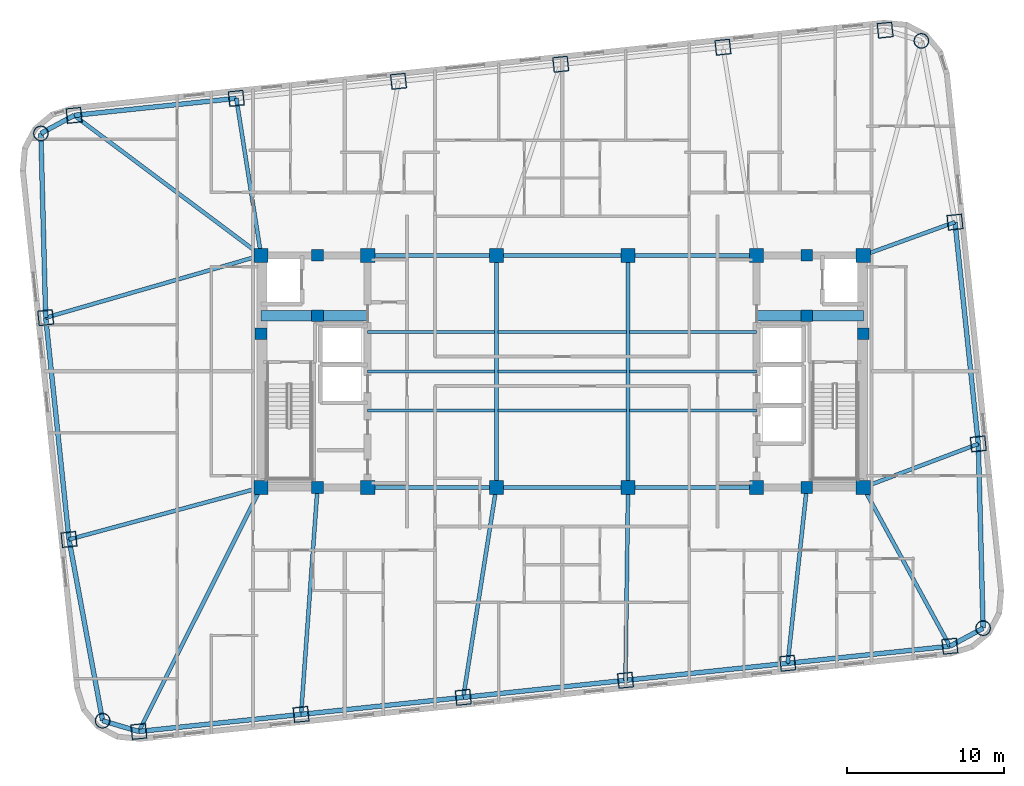
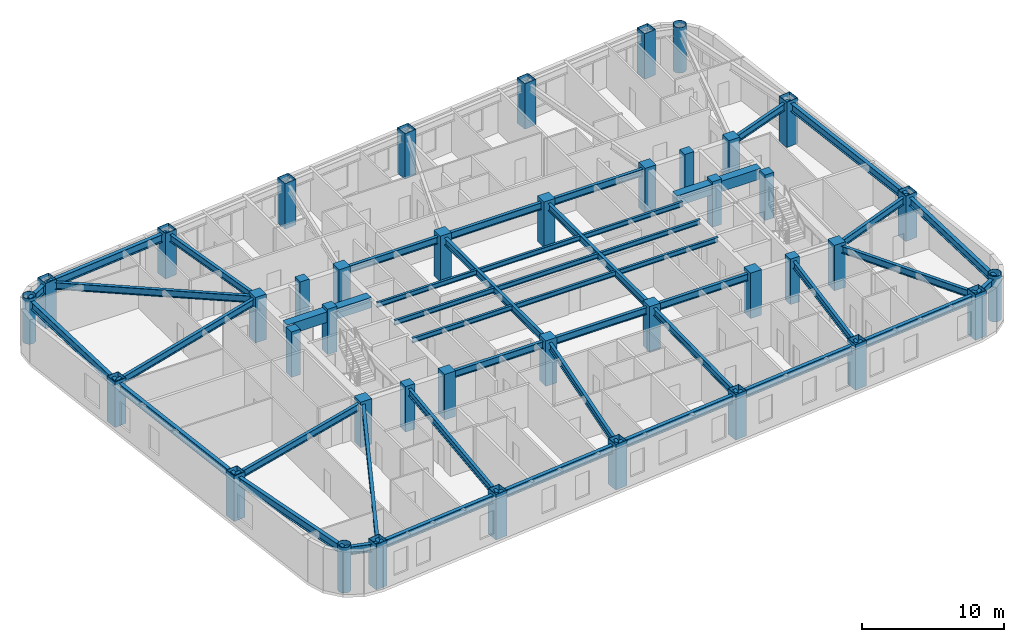
# One storey, part 1 of 12: 45 beams, 40 columns.
"""IFC4 building model written with IfcOpenShell, lengths in metres."""

from ifc_helpers import new_model, si_unit, direction, frame, origin, origin_2d, place, context, subcontext, project, spatial, rectangle, hollow_rectangle, hollow_circle, i_section, extrude, material, material_profile, profile_set, type_object, element, save


model = new_model("IFC4")

# Units and contexts
model_context = context("Model", 3, precision=1e-05, world=origin(), true_north=direction((0.0, 1.0)))
body_context = subcontext(model_context, "Body", "Model", "MODEL_VIEW")
ifc_project = project(units=[si_unit("LENGTHUNIT", "METRE"), si_unit("AREAUNIT", "SQUARE_METRE"), si_unit("VOLUMEUNIT", "CUBIC_METRE"), si_unit("PLANEANGLEUNIT", "RADIAN"), si_unit("MASSUNIT", "GRAM", prefix="KILO")], contexts=[model_context])

# Site, building, storey
site_placement = place(None, origin())
site = spatial("IfcSite", under=ifc_project, at=site_placement, CompositionType="ELEMENT")
building_placement = place(site_placement, origin())
building = spatial("IfcBuilding", under=site, at=building_placement, Name="Voryun Gate Residences", CompositionType="ELEMENT")
storey_placement = place(building_placement, frame((0.0, 0.0, 152.10009765625)))
storey = spatial("IfcBuildingStorey", under=building, at=storey_placement, Name="L37", CompositionType="ELEMENT", Elevation=152.10009765625)

# Columns
ifc_material_1 = material(Name="Concrete C50/60", Category="concrete")
ifc_material_profile_1 = material_profile(ifc_material_1, rectangle(XDim=0.75, YDim=0.75, at=origin_2d()), Name="RC-750x750")
ifc_profile_set_1 = profile_set([ifc_material_profile_1], Name="Concrete C50/60")
column_type_1 = type_object("IfcColumnType", Name="COL_CORE_750", PredefinedType="COLUMN", material=ifc_profile_set_1)
for number, where, z_axis, x_axis, name in (
    (1, (-19.199951171875, 2.39990234375, 0.0), (0.0, 0.0, 1.0), (1.0, 0.0, 0.0), "L37 Core boundary column WC-MW"),
    (2, (-15.60009765625, -7.39990234375, 0.0), (0.0, 0.0, 1.0), (1.0, 0.0, 0.0), "L37 Core boundary column WC-SM"),
    (3, (-15.60009765625, 7.39990234375, 0.0), (0.0, 0.0, 1.0), (1.0, 0.0, 0.0), "L37 Core boundary column WC-NM"),
    (4, (-15.60009765625, 3.550048828125, 0.0), (0.0, 0.0, 1.0), (1.0, 0.0, 0.0), "L37 Core boundary column WC-MM"),
    (5, (15.60009765625, 3.550048828125, 0.0), (0.0, 0.0, 1.0), (1.0, 0.0, 0.0), "L37 Core boundary column EC-MM"),
    (6, (15.60009765625, -7.39990234375, 0.0), (0.0, 0.0, 1.0), (1.0, 0.0, 0.0), "L37 Core boundary column EC-SM"),
    (7, (15.60009765625, 7.39990234375, 0.0), (0.0, 0.0, 1.0), (1.0, 0.0, 0.0), "L37 Core boundary column EC-NM"),
    (8, (19.199951171875, 2.39990234375, 0.0), (0.0, 0.0, 1.0), (1.0, 0.0, 0.0), "L37 Core boundary column EC-ME"),
):
    element("IfcColumn", number, at=place(storey_placement, frame(where, z_axis=z_axis, x_axis=x_axis)), inside=storey, type_object=column_type_1, Name=name, PredefinedType="COLUMN", context=body_context, shape_type="SweptSolid", body=[
        extrude(rectangle(XDim=0.75, YDim=0.75, at=origin_2d()), origin(), (0.0, 0.0, 1.0), 3.89990234375),
    ])
ifc_material_2 = material(Name="Concrete C50/60", Category="concrete")
ifc_material_profile_2 = material_profile(ifc_material_2, rectangle(XDim=0.89990234375, YDim=0.89990234375, at=origin_2d()), Name="RC-900x900")
ifc_profile_set_2 = profile_set([ifc_material_profile_2], Name="Concrete C50/60")
column_type_2 = type_object("IfcColumnType", Name="COL_CORE_900", PredefinedType="COLUMN", material=ifc_profile_set_2)
for number, where, z_axis, x_axis, name in (
    (9, (-19.199951171875, -7.39990234375, 0.0), (0.0, 0.0, 1.0), (1.0, 0.0, 0.0), "L37 Core boundary column WC-SW"),
    (10, (-19.199951171875, 7.39990234375, 0.0), (0.0, 0.0, 1.0), (1.0, 0.0, 0.0), "L37 Core boundary column WC-NW"),
    (11, (-12.39990234375, -7.39990234375, 0.0), (0.0, 0.0, 1.0), (1.0, 0.0, 0.0), "L37 Core boundary column WC-SE"),
    (12, (-12.39990234375, 7.39990234375, 0.0), (0.0, 0.0, 1.0), (1.0, 0.0, 0.0), "L37 Core boundary column WC-NE"),
    (13, (12.39990234375, -7.39990234375, 0.0), (0.0, 0.0, 1.0), (1.0, 0.0, 0.0), "L37 Core boundary column EC-SW"),
    (14, (12.39990234375, 7.39990234375, 0.0), (0.0, 0.0, 1.0), (1.0, 0.0, 0.0), "L37 Core boundary column EC-NW"),
    (15, (19.199951171875, -7.39990234375, 0.0), (0.0, 0.0, 1.0), (1.0, 0.0, 0.0), "L37 Core boundary column EC-SE"),
    (16, (19.199951171875, 7.39990234375, 0.0), (0.0, 0.0, 1.0), (1.0, 0.0, 0.0), "L37 Core boundary column EC-NE"),
    (17, (-4.199951171875, -7.39990234375, 0.0), (0.0, 0.0, 1.0), (1.0, 0.0, 0.0), "L37 Interior spine column SP-WS"),
    (18, (-4.199951171875, 7.39990234375, 0.0), (0.0, 0.0, 1.0), (1.0, 0.0, 0.0), "L37 Interior spine column SP-WN"),
    (19, (4.199951171875, -7.39990234375, 0.0), (0.0, 0.0, 1.0), (1.0, 0.0, 0.0), "L37 Interior spine column SP-ES"),
    (20, (4.199951171875, 7.39990234375, 0.0), (0.0, 0.0, 1.0), (1.0, 0.0, 0.0), "L37 Interior spine column SP-EN"),
):
    element("IfcColumn", number, at=place(storey_placement, frame(where, z_axis=z_axis, x_axis=x_axis)), inside=storey, type_object=column_type_2, Name=name, PredefinedType="COLUMN", context=body_context, shape_type="SweptSolid", body=[
        extrude(rectangle(XDim=0.89990234375, YDim=0.89990234375, at=origin_2d()), origin(), (0.0, 0.0, 1.0), 3.89990234375),
    ])
ifc_material_3 = material(Name="Steel SM420", Category="steel")
ifc_material_profile_3 = material_profile(ifc_material_3, hollow_circle(Radius=0.47509765625, WallThickness=0.031982421875, at=origin_2d()), Name="CHS-950x32")
ifc_profile_set_3 = profile_set([ifc_material_profile_3], Name="Steel SM420")
column_type_3 = type_object("IfcColumnType", Name="COL_CRN_950", PredefinedType="COLUMN", material=ifc_profile_set_3)
for number, where, z_axis, x_axis, name in (
    (21, (26.8408203125, -16.373779296875, 0.0), (0.0, 0.0, 1.0), (0.994521895368, 0.104528463268, 0.0), "L37 Exoskeleton column CSE"),
    (22, (22.90478515625, 21.07470703125, 0.0), (0.0, 0.0, 1.0), (0.994521895368, 0.104528463268, 0.0), "L37 Exoskeleton column CNE"),
    (23, (-33.24072265625, 15.173583984375, 0.0), (0.0, 0.0, 1.0), (0.994521895368, 0.104528463268, 0.0), "L37 Exoskeleton column CNW"),
    (24, (-29.3046875, -22.27490234375, 0.0), (0.0, 0.0, 1.0), (0.994521895368, 0.104528463268, 0.0), "L37 Exoskeleton column CSW"),
):
    element("IfcColumn", number, at=place(storey_placement, frame(where, z_axis=z_axis, x_axis=x_axis)), inside=storey, type_object=column_type_3, Name=name, PredefinedType="COLUMN", context=body_context, shape_type="SweptSolid", body=[
        extrude(hollow_circle(Radius=0.47509765625, WallThickness=0.031982421875, at=origin_2d()), origin(), (0.0, 0.0, 1.0), 3.89990234375),
    ])
ifc_material_4 = material(Name="Steel SM420", Category="steel")
ifc_material_profile_4 = material_profile(ifc_material_4, hollow_rectangle(XDim=0.949951171875, YDim=0.949951171875, WallThickness=0.031982421875, at=origin_2d()), Name="BOX-950x950x32")
ifc_profile_set_4 = profile_set([ifc_material_profile_4], Name="Steel SM420")
column_type_4 = type_object("IfcColumnType", Name="COL_EXO_B3", PredefinedType="COLUMN", material=ifc_profile_set_4)
for number, where, z_axis, x_axis, name in (
    (25, (-26.9931640625, -22.95947265625, 0.0), (0.0, 0.0, 1.0), (0.994521895368, 0.104528463268, 0.0), "L37 Exoskeleton column S1"),
    (26, (-16.650146484375, -21.87255859375, 0.0), (0.0, 0.0, 1.0), (0.994521895368, 0.104528463268, 0.0), "L37 Exoskeleton column S2"),
    (27, (-6.30712890625, -20.785400390625, 0.0), (0.0, 0.0, 1.0), (0.994521895368, 0.104528463268, 0.0), "L37 Exoskeleton column S3"),
    (28, (4.035888671875, -19.6982421875, 0.0), (0.0, 0.0, 1.0), (0.994521895368, 0.104528463268, 0.0), "L37 Exoskeleton column S4"),
    (29, (14.37890625, -18.611083984375, 0.0), (0.0, 0.0, 1.0), (0.994521895368, 0.104528463268, 0.0), "L37 Exoskeleton column S5"),
    (30, (24.721923828125, -17.524169921875, 0.0), (0.0, 0.0, 1.0), (0.994521895368, 0.104528463268, 0.0), "L37 Exoskeleton column S6"),
    (31, (26.533447265625, -4.6240234375, 0.0), (0.0, 0.0, 1.0), (0.994521895368, 0.104528463268, 0.0), "L37 Exoskeleton column E1"),
    (32, (25.047119140625, 9.51806640625, 0.0), (0.0, 0.0, 1.0), (0.994521895368, 0.104528463268, 0.0), "L37 Exoskeleton column E2"),
    (33, (20.593017578125, 21.759521484375, 0.0), (0.0, 0.0, 1.0), (0.994521895368, 0.104528463268, 0.0), "L37 Exoskeleton column N1"),
    (34, (10.25, 20.67236328125, 0.0), (0.0, 0.0, 1.0), (0.994521895368, 0.104528463268, 0.0), "L37 Exoskeleton column N2"),
    (35, (-0.093017578125, 19.58544921875, 0.0), (0.0, 0.0, 1.0), (0.994521895368, 0.104528463268, 0.0), "L37 Exoskeleton column N3"),
    (36, (-10.43603515625, 18.498291015625, 0.0), (0.0, 0.0, 1.0), (0.994521895368, 0.104528463268, 0.0), "L37 Exoskeleton column N4"),
    (37, (-20.779052734375, 17.4111328125, 0.0), (0.0, 0.0, 1.0), (0.994521895368, 0.104528463268, 0.0), "L37 Exoskeleton column N5"),
    (38, (-31.1220703125, 16.323974609375, 0.0), (0.0, 0.0, 1.0), (0.994521895368, 0.104528463268, 0.0), "L37 Exoskeleton column N6"),
    (39, (-32.93359375, 3.424072265625, 0.0), (0.0, 0.0, 1.0), (0.994521895368, 0.104528463268, 0.0), "L37 Exoskeleton column W1"),
    (40, (-31.447021484375, -10.718017578125, 0.0), (0.0, 0.0, 1.0), (0.994521895368, 0.104528463268, 0.0), "L37 Exoskeleton column W2"),
):
    element("IfcColumn", number, at=place(storey_placement, frame(where, z_axis=z_axis, x_axis=x_axis)), inside=storey, type_object=column_type_4, Name=name, PredefinedType="COLUMN", context=body_context, shape_type="SweptSolid", body=[
        extrude(hollow_rectangle(XDim=0.949951171875, YDim=0.949951171875, WallThickness=0.031982421875, at=origin_2d()), origin(), (0.0, 0.0, 1.0), 3.89990234375),
    ])

# Beams
ifc_material_5 = material(Name="Concrete C60/75", Category="concrete")
ifc_material_profile_5 = material_profile(ifc_material_5, rectangle(XDim=0.64990234375, YDim=0.89990234375, at=origin_2d()), Name="RC-650x900")
ifc_profile_set_5 = profile_set([ifc_material_profile_5], Name="Concrete C60/75")
beam_type_1 = type_object("IfcBeamType", Name="BM_COUP_RC900", PredefinedType="LINTEL", material=ifc_profile_set_5)
for number, where, z_axis, x_axis, name in (
    (41, (-19.199951171875, 3.550048828125, 3.199951171875), (1.0, 0.0, 0.0), (0.0, 1.0, 0.0), "BM-L37-WC1"),
    (42, (12.39990234375, 3.550048828125, 3.199951171875), (1.0, 0.0, 0.0), (0.0, 1.0, 0.0), "BM-L37-EC1"),
):
    element("IfcBeam", number, at=place(storey_placement, frame(where, z_axis=z_axis, x_axis=x_axis)), inside=storey, type_object=beam_type_1, Name=name, PredefinedType="LINTEL", context=body_context, shape_type="SweptSolid", body=[
        extrude(rectangle(XDim=0.64990234375, YDim=0.89990234375, at=origin_2d()), origin(), (0.0, 0.0, 1.0), 6.800048828125),
    ])
ifc_material_6 = material(Name="Steel SM355", Category="steel")
ifc_material_profile_6 = material_profile(ifc_material_6, i_section(OverallWidth=0.300048828125, OverallDepth=0.679931640625, WebThickness=0.013916015625, FlangeThickness=0.02490234375, FilletRadius=0.01806640625, at=origin_2d()), Name="H-680x300x14x25")
ifc_profile_set_6 = profile_set([ifc_material_profile_6], Name="Steel SM355")
beam_type_2 = type_object("IfcBeamType", Name="BM_EXO_SPANDREL_M", PredefinedType="SPANDREL", material=ifc_profile_set_6)
for number, where, z_axis, x_axis, name in (
    (43, (-26.9931640625, -22.95947265625, 3.309814453125), (0.99452370336, 0.10451125994, 0.0), (-0.10451125994, 0.99452370336, 0.0), "BM-L37-SPAND-01"),
    (44, (-16.650146484375, -21.87255859375, 3.309814453125), (0.994521263116, 0.104534478571, 0.0), (-0.104534478571, 0.994521263116, 0.0), "BM-L37-SPAND-02"),
    (45, (-6.30712890625, -20.785400390625, 3.309814453125), (0.994521263116, 0.104534478571, 0.0), (-0.104534478571, 0.994521263116, 0.0), "BM-L37-SPAND-03"),
    (46, (4.035888671875, -19.6982421875, 3.309814453125), (0.994521263116, 0.104534478571, 0.0), (-0.104534478571, 0.994521263116, 0.0), "BM-L37-SPAND-04"),
    (47, (14.37890625, -18.611083984375, 3.309814453125), (0.99452370336, 0.10451125994, 0.0), (-0.10451125994, 0.99452370336, 0.0), "BM-L37-SPAND-05"),
):
    element("IfcBeam", number, at=place(storey_placement, frame(where, z_axis=z_axis, x_axis=x_axis)), inside=storey, type_object=beam_type_2, Name=name, PredefinedType="SPANDREL", context=body_context, shape_type="SweptSolid", body=[
        extrude(i_section(OverallWidth=0.300048828125, OverallDepth=0.679931640625, WebThickness=0.013916015625, FlangeThickness=0.02490234375, FilletRadius=0.01806640625, at=origin_2d()), origin(), (0.0, 0.0, 1.0), 10.39990234375),
    ])
beam_1_placement = place(storey_placement, frame((24.721923828125, -17.524169921875, 3.309814453125), z_axis=(0.878830382314, 0.477134319791, 0.0), x_axis=(-0.477134319791, 0.878830382314, 0.0)))
element("IfcBeam", 48, at=beam_1_placement, inside=storey, type_object=beam_type_2, Name="BM-L37-SPAND-06", PredefinedType="SPANDREL", context=body_context, shape_type="SweptSolid", body=[
    extrude(i_section(OverallWidth=0.300048828125, OverallDepth=0.679931640625, WebThickness=0.013916015625, FlangeThickness=0.02490234375, FilletRadius=0.01806640625, at=origin_2d()), origin(), (0.0, 0.0, 1.0), 2.4111328125),
])
beam_2_placement = place(storey_placement, frame((26.8408203125, -16.373779296875, 3.309814453125), z_axis=(-0.026151005195, 0.999658003983, 0.0), x_axis=(-0.999658003983, -0.026151005195, 0.0)))
element("IfcBeam", 49, at=beam_2_placement, inside=storey, type_object=beam_type_2, Name="BM-L37-SPAND-07", PredefinedType="SPANDREL", context=body_context, shape_type="SweptSolid", body=[
    extrude(i_section(OverallWidth=0.300048828125, OverallDepth=0.679931640625, WebThickness=0.013916015625, FlangeThickness=0.02490234375, FilletRadius=0.01806640625, at=origin_2d()), origin(), (0.0, 0.0, 1.0), 11.753662109375),
])
beam_3_placement = place(storey_placement, frame((26.533447265625, -4.6240234375, 3.309814453125), z_axis=(-0.104523913446, 0.994522373563, 0.0), x_axis=(-0.994522373563, -0.104523913446, 0.0)))
element("IfcBeam", 50, at=beam_3_placement, inside=storey, type_object=beam_type_2, Name="BM-L37-SPAND-08", PredefinedType="SPANDREL", context=body_context, shape_type="SweptSolid", body=[
    extrude(i_section(OverallWidth=0.300048828125, OverallDepth=0.679931640625, WebThickness=0.013916015625, FlangeThickness=0.02490234375, FilletRadius=0.01806640625, at=origin_2d()), origin(), (0.0, 0.0, 1.0), 14.219970703125),
])
beam_4_placement = place(storey_placement, frame((-20.779052734375, 17.4111328125, 3.309814453125), z_axis=(-0.994521263116, -0.104534478571, 0.0), x_axis=(0.104534478571, -0.994521263116, 0.0)))
element("IfcBeam", 51, at=beam_4_placement, inside=storey, type_object=beam_type_2, Name="BM-L37-SPAND-15", PredefinedType="SPANDREL", context=body_context, shape_type="SweptSolid", body=[
    extrude(i_section(OverallWidth=0.300048828125, OverallDepth=0.679931640625, WebThickness=0.013916015625, FlangeThickness=0.02490234375, FilletRadius=0.01806640625, at=origin_2d()), origin(), (0.0, 0.0, 1.0), 10.39990234375),
])
beam_5_placement = place(storey_placement, frame((-31.1220703125, 16.323974609375, 3.309814453125), z_axis=(-0.878807326808, -0.47717678312, 0.0), x_axis=(0.47717678312, -0.878807326808, 0.0)))
element("IfcBeam", 52, at=beam_5_placement, inside=storey, type_object=beam_type_2, Name="BM-L37-SPAND-16", PredefinedType="SPANDREL", context=body_context, shape_type="SweptSolid", body=[
    extrude(i_section(OverallWidth=0.300048828125, OverallDepth=0.679931640625, WebThickness=0.013916015625, FlangeThickness=0.02490234375, FilletRadius=0.01806640625, at=origin_2d()), origin(), (0.0, 0.0, 1.0), 2.410888671875),
])
beam_6_placement = place(storey_placement, frame((-33.24072265625, 15.173583984375, 3.309814453125), z_axis=(0.026130790716, -0.999658532588, 0.0), x_axis=(0.999658532588, 0.026130790716, 0.0)))
element("IfcBeam", 53, at=beam_6_placement, inside=storey, type_object=beam_type_2, Name="BM-L37-SPAND-17", PredefinedType="SPANDREL", context=body_context, shape_type="SweptSolid", body=[
    extrude(i_section(OverallWidth=0.300048828125, OverallDepth=0.679931640625, WebThickness=0.013916015625, FlangeThickness=0.02490234375, FilletRadius=0.01806640625, at=origin_2d()), origin(), (0.0, 0.0, 1.0), 11.75341796875),
])
beam_7_placement = place(storey_placement, frame((-32.93359375, 3.424072265625, 3.309814453125), z_axis=(0.104540894669, -0.994520588697, 0.0), x_axis=(0.994520588697, 0.104540894669, 0.0)))
element("IfcBeam", 54, at=beam_7_placement, inside=storey, type_object=beam_type_2, Name="BM-L37-SPAND-18", PredefinedType="SPANDREL", context=body_context, shape_type="SweptSolid", body=[
    extrude(i_section(OverallWidth=0.300048828125, OverallDepth=0.679931640625, WebThickness=0.013916015625, FlangeThickness=0.02490234375, FilletRadius=0.01806640625, at=origin_2d()), origin(), (0.0, 0.0, 1.0), 14.219970703125),
])
beam_8_placement = place(storey_placement, frame((-31.447021484375, -10.718017578125, 3.309814453125), z_axis=(0.182267768769, -0.983248931079, 0.0), x_axis=(0.983248931079, 0.182267768769, 0.0)))
element("IfcBeam", 55, at=beam_8_placement, inside=storey, type_object=beam_type_2, Name="BM-L37-SPAND-19", PredefinedType="SPANDREL", context=body_context, shape_type="SweptSolid", body=[
    extrude(i_section(OverallWidth=0.300048828125, OverallDepth=0.679931640625, WebThickness=0.013916015625, FlangeThickness=0.02490234375, FilletRadius=0.01806640625, at=origin_2d()), origin(), (0.0, 0.0, 1.0), 11.753662109375),
])
beam_9_placement = place(storey_placement, frame((-29.3046875, -22.27490234375, 3.309814453125), z_axis=(0.958834884093, -0.283964196768, 0.0), x_axis=(0.283964196768, 0.958834884093, 0.0)))
element("IfcBeam", 56, at=beam_9_placement, inside=storey, type_object=beam_type_2, Name="BM-L37-SPAND-20", PredefinedType="SPANDREL", context=body_context, shape_type="SweptSolid", body=[
    extrude(i_section(OverallWidth=0.300048828125, OverallDepth=0.679931640625, WebThickness=0.013916015625, FlangeThickness=0.02490234375, FilletRadius=0.01806640625, at=origin_2d()), origin(), (0.0, 0.0, 1.0), 2.41064453125),
])
ifc_material_7 = material(Name="Steel SM355", Category="steel")
ifc_material_profile_7 = material_profile(ifc_material_7, i_section(OverallWidth=0.25, OverallDepth=0.60009765625, WebThickness=0.011962890625, FlangeThickness=0.02197265625, FilletRadius=0.01806640625, at=origin_2d()), Name="H-600x250x12x22")
ifc_profile_set_7 = profile_set([ifc_material_profile_7], Name="Steel SM355")
beam_type_3 = type_object("IfcBeamType", Name="BM_GIRD_600", PredefinedType="USERDEFINED", material=ifc_profile_set_7)
beam_10_placement = place(storey_placement, frame((-12.39990234375, -7.39990234375, 3.349853515625), z_axis=(1.0, 0.0, 0.0), x_axis=(0.0, 1.0, 0.0)))
element("IfcBeam", 57, at=beam_10_placement, inside=storey, type_object=beam_type_3, Name="BM-L37-SPG1-S", ObjectType="GIRDER", PredefinedType="USERDEFINED", context=body_context, shape_type="SweptSolid", body=[
    extrude(i_section(OverallWidth=0.25, OverallDepth=0.60009765625, WebThickness=0.011962890625, FlangeThickness=0.02197265625, FilletRadius=0.01806640625, at=origin_2d()), origin(), (0.0, 0.0, 1.0), 8.199951171875),
])
beam_11_placement = place(storey_placement, frame((-4.199951171875, -7.39990234375, 3.349853515625), z_axis=(1.0, 0.0, 0.0), x_axis=(0.0, 1.0, 0.0)))
element("IfcBeam", 58, at=beam_11_placement, inside=storey, type_object=beam_type_3, Name="BM-L37-SPG2-S", ObjectType="GIRDER", PredefinedType="USERDEFINED", context=body_context, shape_type="SweptSolid", body=[
    extrude(i_section(OverallWidth=0.25, OverallDepth=0.60009765625, WebThickness=0.011962890625, FlangeThickness=0.02197265625, FilletRadius=0.01806640625, at=origin_2d()), origin(), (0.0, 0.0, 1.0), 8.39990234375),
])
for number, where, z_axis, x_axis, name in (
    (59, (4.199951171875, -7.39990234375, 3.349853515625), (1.0, 0.0, 0.0), (0.0, 1.0, 0.0), "BM-L37-SPG3-S"),
    (60, (-12.39990234375, 7.39990234375, 3.349853515625), (1.0, 0.0, 0.0), (0.0, 1.0, 0.0), "BM-L37-SPG1-N"),
):
    element("IfcBeam", number, at=place(storey_placement, frame(where, z_axis=z_axis, x_axis=x_axis)), inside=storey, type_object=beam_type_3, Name=name, ObjectType="GIRDER", PredefinedType="USERDEFINED", context=body_context, shape_type="SweptSolid", body=[
        extrude(i_section(OverallWidth=0.25, OverallDepth=0.60009765625, WebThickness=0.011962890625, FlangeThickness=0.02197265625, FilletRadius=0.01806640625, at=origin_2d()), origin(), (0.0, 0.0, 1.0), 8.199951171875),
    ])
beam_12_placement = place(storey_placement, frame((-4.199951171875, 7.39990234375, 3.349853515625), z_axis=(1.0, 0.0, 0.0), x_axis=(0.0, 1.0, 0.0)))
element("IfcBeam", 61, at=beam_12_placement, inside=storey, type_object=beam_type_3, Name="BM-L37-SPG2-N", ObjectType="GIRDER", PredefinedType="USERDEFINED", context=body_context, shape_type="SweptSolid", body=[
    extrude(i_section(OverallWidth=0.25, OverallDepth=0.60009765625, WebThickness=0.011962890625, FlangeThickness=0.02197265625, FilletRadius=0.01806640625, at=origin_2d()), origin(), (0.0, 0.0, 1.0), 8.39990234375),
])
beam_13_placement = place(storey_placement, frame((4.199951171875, 7.39990234375, 3.349853515625), z_axis=(1.0, 0.0, 0.0), x_axis=(0.0, 1.0, 0.0)))
element("IfcBeam", 62, at=beam_13_placement, inside=storey, type_object=beam_type_3, Name="BM-L37-SPG3-N", ObjectType="GIRDER", PredefinedType="USERDEFINED", context=body_context, shape_type="SweptSolid", body=[
    extrude(i_section(OverallWidth=0.25, OverallDepth=0.60009765625, WebThickness=0.011962890625, FlangeThickness=0.02197265625, FilletRadius=0.01806640625, at=origin_2d()), origin(), (0.0, 0.0, 1.0), 8.199951171875),
])
for number, where, z_axis, x_axis, name in (
    (63, (-4.199951171875, -7.39990234375, 3.349853515625), (0.0, 1.0, 0.0), (-1.0, 0.0, 0.0), "BM-L37-SPX-W"),
    (64, (4.199951171875, -7.39990234375, 3.349853515625), (0.0, 1.0, 0.0), (-1.0, 0.0, 0.0), "BM-L37-SPX-E"),
):
    element("IfcBeam", number, at=place(storey_placement, frame(where, z_axis=z_axis, x_axis=x_axis)), inside=storey, type_object=beam_type_3, Name=name, ObjectType="GIRDER", PredefinedType="USERDEFINED", context=body_context, shape_type="SweptSolid", body=[
        extrude(i_section(OverallWidth=0.25, OverallDepth=0.60009765625, WebThickness=0.011962890625, FlangeThickness=0.02197265625, FilletRadius=0.01806640625, at=origin_2d()), origin(), (0.0, 0.0, 1.0), 14.7998046875),
    ])
beam_14_placement = place(storey_placement, frame((-19.199951171875, -7.39990234375, 3.349853515625), z_axis=(-0.447830780254, -0.894118332357, 0.0), x_axis=(0.894118332357, -0.447830780254, 0.0)))
element("IfcBeam", 65, at=beam_14_placement, inside=storey, type_object=beam_type_3, Name="BM-L37-RAD-S1", ObjectType="GIRDER", PredefinedType="USERDEFINED", context=body_context, shape_type="SweptSolid", body=[
    extrude(i_section(OverallWidth=0.25, OverallDepth=0.60009765625, WebThickness=0.011962890625, FlangeThickness=0.02197265625, FilletRadius=0.01806640625, at=origin_2d()), origin(), (0.0, 0.0, 1.0), 17.402099609375),
])
beam_15_placement = place(storey_placement, frame((-15.60009765625, -7.39990234375, 3.349853515625), z_axis=(-0.072363766769, -0.99737830599, 0.0), x_axis=(0.99737830599, -0.072363766769, 0.0)))
element("IfcBeam", 66, at=beam_15_placement, inside=storey, type_object=beam_type_3, Name="BM-L37-RAD-S2", ObjectType="GIRDER", PredefinedType="USERDEFINED", context=body_context, shape_type="SweptSolid", body=[
    extrude(i_section(OverallWidth=0.25, OverallDepth=0.60009765625, WebThickness=0.011962890625, FlangeThickness=0.02197265625, FilletRadius=0.01806640625, at=origin_2d()), origin(), (0.0, 0.0, 1.0), 14.5107421875),
])
beam_16_placement = place(storey_placement, frame((-4.199951171875, -7.39990234375, 3.349853515625), z_axis=(-0.155507352157, -0.987834734875, 0.0), x_axis=(0.987834734875, -0.155507352157, 0.0)))
element("IfcBeam", 67, at=beam_16_placement, inside=storey, type_object=beam_type_3, Name="BM-L37-RAD-S3", ObjectType="GIRDER", PredefinedType="USERDEFINED", context=body_context, shape_type="SweptSolid", body=[
    extrude(i_section(OverallWidth=0.25, OverallDepth=0.60009765625, WebThickness=0.011962890625, FlangeThickness=0.02197265625, FilletRadius=0.01806640625, at=origin_2d()), origin(), (0.0, 0.0, 1.0), 13.55029296875),
])
beam_17_placement = place(storey_placement, frame((4.199951171875, -7.39990234375, 3.349853515625), z_axis=(-0.013339028327, -0.999911031204, 0.0), x_axis=(0.999911031204, -0.013339028327, 0.0)))
element("IfcBeam", 68, at=beam_17_placement, inside=storey, type_object=beam_type_3, Name="BM-L37-RAD-S4", ObjectType="GIRDER", PredefinedType="USERDEFINED", context=body_context, shape_type="SweptSolid", body=[
    extrude(i_section(OverallWidth=0.25, OverallDepth=0.60009765625, WebThickness=0.011962890625, FlangeThickness=0.02197265625, FilletRadius=0.01806640625, at=origin_2d()), origin(), (0.0, 0.0, 1.0), 12.29931640625),
])
beam_18_placement = place(storey_placement, frame((15.60009765625, -7.39990234375, 3.349853515625), z_axis=(-0.108285693252, -0.994119816037, 0.0), x_axis=(0.994119816037, -0.108285693252, 0.0)))
element("IfcBeam", 69, at=beam_18_placement, inside=storey, type_object=beam_type_3, Name="BM-L37-RAD-S5", ObjectType="GIRDER", PredefinedType="USERDEFINED", context=body_context, shape_type="SweptSolid", body=[
    extrude(i_section(OverallWidth=0.25, OverallDepth=0.60009765625, WebThickness=0.011962890625, FlangeThickness=0.02197265625, FilletRadius=0.01806640625, at=origin_2d()), origin(), (0.0, 0.0, 1.0), 11.277587890625),
])
beam_19_placement = place(storey_placement, frame((19.199951171875, -7.39990234375, 3.349853515625), z_axis=(0.478828398266, -0.877908517451, 0.0), x_axis=(0.877908517451, 0.478828398266, 0.0)))
element("IfcBeam", 70, at=beam_19_placement, inside=storey, type_object=beam_type_3, Name="BM-L37-RAD-S6", ObjectType="GIRDER", PredefinedType="USERDEFINED", context=body_context, shape_type="SweptSolid", body=[
    extrude(i_section(OverallWidth=0.25, OverallDepth=0.60009765625, WebThickness=0.011962890625, FlangeThickness=0.02197265625, FilletRadius=0.01806640625, at=origin_2d()), origin(), (0.0, 0.0, 1.0), 11.5322265625),
])
beam_20_placement = place(storey_placement, frame((19.199951171875, -7.39990234375, 3.349853515625), z_axis=(0.93524224301, 0.354008399462, 0.0), x_axis=(-0.354008399462, 0.93524224301, 0.0)))
element("IfcBeam", 71, at=beam_20_placement, inside=storey, type_object=beam_type_3, Name="BM-L37-RAD-E1", ObjectType="GIRDER", PredefinedType="USERDEFINED", context=body_context, shape_type="SweptSolid", body=[
    extrude(i_section(OverallWidth=0.25, OverallDepth=0.60009765625, WebThickness=0.011962890625, FlangeThickness=0.02197265625, FilletRadius=0.01806640625, at=origin_2d()), origin(), (0.0, 0.0, 1.0), 7.84130859375),
])
beam_21_placement = place(storey_placement, frame((19.199951171875, 7.39990234375, 3.349853515625), z_axis=(0.94020993833, 0.340595466595, 0.0), x_axis=(-0.340595466595, 0.94020993833, 0.0)))
element("IfcBeam", 72, at=beam_21_placement, inside=storey, type_object=beam_type_3, Name="BM-L37-RAD-E2", ObjectType="GIRDER", PredefinedType="USERDEFINED", context=body_context, shape_type="SweptSolid", body=[
    extrude(i_section(OverallWidth=0.25, OverallDepth=0.60009765625, WebThickness=0.011962890625, FlangeThickness=0.02197265625, FilletRadius=0.01806640625, at=origin_2d()), origin(), (0.0, 0.0, 1.0), 6.218994140625),
])
beam_22_placement = place(storey_placement, frame((-19.199951171875, 7.39990234375, 3.349853515625), z_axis=(-0.155806710133, 0.987787562727, 0.0), x_axis=(-0.987787562727, -0.155806710133, 0.0)))
element("IfcBeam", 73, at=beam_22_placement, inside=storey, type_object=beam_type_3, Name="BM-L37-RAD-N5", ObjectType="GIRDER", PredefinedType="USERDEFINED", context=body_context, shape_type="SweptSolid", body=[
    extrude(i_section(OverallWidth=0.25, OverallDepth=0.60009765625, WebThickness=0.011962890625, FlangeThickness=0.02197265625, FilletRadius=0.01806640625, at=origin_2d()), origin(), (0.0, 0.0, 1.0), 10.135009765625),
])
beam_23_placement = place(storey_placement, frame((-19.199951171875, 7.39990234375, 3.349853515625), z_axis=(-0.800564252374, 0.599246925583, 0.0), x_axis=(-0.599246925583, -0.800564252374, 0.0)))
element("IfcBeam", 74, at=beam_23_placement, inside=storey, type_object=beam_type_3, Name="BM-L37-RAD-N6", ObjectType="GIRDER", PredefinedType="USERDEFINED", context=body_context, shape_type="SweptSolid", body=[
    extrude(i_section(OverallWidth=0.25, OverallDepth=0.60009765625, WebThickness=0.011962890625, FlangeThickness=0.02197265625, FilletRadius=0.01806640625, at=origin_2d()), origin(), (0.0, 0.0, 1.0), 14.89208984375),
])
beam_24_placement = place(storey_placement, frame((-19.199951171875, 7.39990234375, 3.349853515625), z_axis=(-0.960558623239, -0.278077563498, 0.0), x_axis=(0.278077563498, -0.960558623239, 0.0)))
element("IfcBeam", 75, at=beam_24_placement, inside=storey, type_object=beam_type_3, Name="BM-L37-RAD-W1", ObjectType="GIRDER", PredefinedType="USERDEFINED", context=body_context, shape_type="SweptSolid", body=[
    extrude(i_section(OverallWidth=0.25, OverallDepth=0.60009765625, WebThickness=0.011962890625, FlangeThickness=0.02197265625, FilletRadius=0.01806640625, at=origin_2d()), origin(), (0.0, 0.0, 1.0), 14.297607421875),
])
beam_25_placement = place(storey_placement, frame((-19.199951171875, -7.39990234375, 3.349853515625), z_axis=(-0.965202497616, -0.261503611058, 0.0), x_axis=(0.261503611058, -0.965202497616, 0.0)))
element("IfcBeam", 76, at=beam_25_placement, inside=storey, type_object=beam_type_3, Name="BM-L37-RAD-W2", ObjectType="GIRDER", PredefinedType="USERDEFINED", context=body_context, shape_type="SweptSolid", body=[
    extrude(i_section(OverallWidth=0.25, OverallDepth=0.60009765625, WebThickness=0.011962890625, FlangeThickness=0.02197265625, FilletRadius=0.01806640625, at=origin_2d()), origin(), (0.0, 0.0, 1.0), 12.688720703125),
])
ifc_material_8 = material(Name="Steel SM355", Category="steel")
ifc_material_profile_8 = material_profile(ifc_material_8, i_section(OverallWidth=0.18994140625, OverallDepth=0.419921875, WebThickness=0.009033203125, FlangeThickness=0.01611328125, FilletRadius=0.01806640625, at=origin_2d()), Name="H-420x190x9x16")
ifc_profile_set_8 = profile_set([ifc_material_profile_8], Name="Steel SM355")
beam_type_4 = type_object("IfcBeamType", Name="BM_SEC_420", PredefinedType="BEAM", material=ifc_profile_set_8)
beam_26_placement = place(storey_placement, frame((-12.39990234375, -2.5, 3.43994140625), z_axis=(1.0, 0.0, 0.0), x_axis=(0.0, 1.0, 0.0)))
element("IfcBeam", 77, at=beam_26_placement, inside=storey, type_object=beam_type_4, Name="BM-L37-SEC-CS1", PredefinedType="BEAM", context=body_context, shape_type="SweptSolid", body=[
    extrude(i_section(OverallWidth=0.18994140625, OverallDepth=0.419921875, WebThickness=0.009033203125, FlangeThickness=0.01611328125, FilletRadius=0.01806640625, at=origin_2d()), origin(), (0.0, 0.0, 1.0), 8.099853515625),
])
beam_27_placement = place(storey_placement, frame((-4.10009765625, -2.5, 3.43994140625), z_axis=(1.0, 0.0, 0.0), x_axis=(0.0, 1.0, 0.0)))
element("IfcBeam", 78, at=beam_27_placement, inside=storey, type_object=beam_type_4, Name="BM-L37-SEC-CS2", PredefinedType="BEAM", context=body_context, shape_type="SweptSolid", body=[
    extrude(i_section(OverallWidth=0.18994140625, OverallDepth=0.419921875, WebThickness=0.009033203125, FlangeThickness=0.01611328125, FilletRadius=0.01806640625, at=origin_2d()), origin(), (0.0, 0.0, 1.0), 8.2001953125),
])
for number, where, z_axis, x_axis, name in (
    (79, (4.300048828125, -2.5, 3.43994140625), (1.0, 0.0, 0.0), (0.0, 1.0, 0.0), "BM-L37-SEC-CS3"),
    (80, (-12.39990234375, 0.0, 3.43994140625), (1.0, 0.0, 0.0), (0.0, 1.0, 0.0), "BM-L37-SEC-CM1"),
):
    element("IfcBeam", number, at=place(storey_placement, frame(where, z_axis=z_axis, x_axis=x_axis)), inside=storey, type_object=beam_type_4, Name=name, PredefinedType="BEAM", context=body_context, shape_type="SweptSolid", body=[
        extrude(i_section(OverallWidth=0.18994140625, OverallDepth=0.419921875, WebThickness=0.009033203125, FlangeThickness=0.01611328125, FilletRadius=0.01806640625, at=origin_2d()), origin(), (0.0, 0.0, 1.0), 8.099853515625),
    ])
beam_28_placement = place(storey_placement, frame((-4.10009765625, 0.0, 3.43994140625), z_axis=(1.0, 0.0, 0.0), x_axis=(0.0, 1.0, 0.0)))
element("IfcBeam", 81, at=beam_28_placement, inside=storey, type_object=beam_type_4, Name="BM-L37-SEC-CM2", PredefinedType="BEAM", context=body_context, shape_type="SweptSolid", body=[
    extrude(i_section(OverallWidth=0.18994140625, OverallDepth=0.419921875, WebThickness=0.009033203125, FlangeThickness=0.01611328125, FilletRadius=0.01806640625, at=origin_2d()), origin(), (0.0, 0.0, 1.0), 8.2001953125),
])
for number, where, z_axis, x_axis, name in (
    (82, (4.300048828125, 0.0, 3.43994140625), (1.0, 0.0, 0.0), (0.0, 1.0, 0.0), "BM-L37-SEC-CM3"),
    (83, (-12.39990234375, 2.5, 3.43994140625), (1.0, 0.0, 0.0), (0.0, 1.0, 0.0), "BM-L37-SEC-CN1"),
):
    element("IfcBeam", number, at=place(storey_placement, frame(where, z_axis=z_axis, x_axis=x_axis)), inside=storey, type_object=beam_type_4, Name=name, PredefinedType="BEAM", context=body_context, shape_type="SweptSolid", body=[
        extrude(i_section(OverallWidth=0.18994140625, OverallDepth=0.419921875, WebThickness=0.009033203125, FlangeThickness=0.01611328125, FilletRadius=0.01806640625, at=origin_2d()), origin(), (0.0, 0.0, 1.0), 8.099853515625),
    ])
beam_29_placement = place(storey_placement, frame((-4.10009765625, 2.5, 3.43994140625), z_axis=(1.0, 0.0, 0.0), x_axis=(0.0, 1.0, 0.0)))
element("IfcBeam", 84, at=beam_29_placement, inside=storey, type_object=beam_type_4, Name="BM-L37-SEC-CN2", PredefinedType="BEAM", context=body_context, shape_type="SweptSolid", body=[
    extrude(i_section(OverallWidth=0.18994140625, OverallDepth=0.419921875, WebThickness=0.009033203125, FlangeThickness=0.01611328125, FilletRadius=0.01806640625, at=origin_2d()), origin(), (0.0, 0.0, 1.0), 8.2001953125),
])
beam_30_placement = place(storey_placement, frame((4.300048828125, 2.5, 3.43994140625), z_axis=(1.0, 0.0, 0.0), x_axis=(0.0, 1.0, 0.0)))
element("IfcBeam", 85, at=beam_30_placement, inside=storey, type_object=beam_type_4, Name="BM-L37-SEC-CN3", PredefinedType="BEAM", context=body_context, shape_type="SweptSolid", body=[
    extrude(i_section(OverallWidth=0.18994140625, OverallDepth=0.419921875, WebThickness=0.009033203125, FlangeThickness=0.01611328125, FilletRadius=0.01806640625, at=origin_2d()), origin(), (0.0, 0.0, 1.0), 8.099853515625),
])

save(model, "model.ifc")
